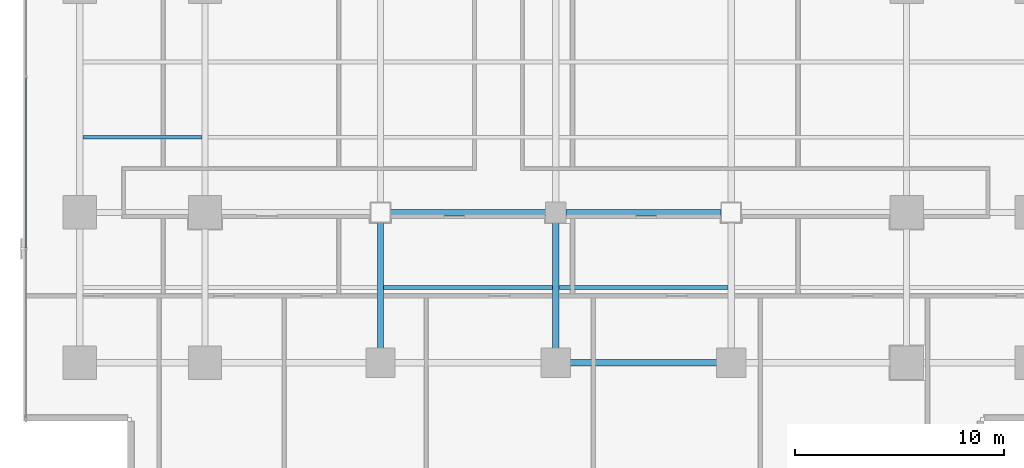
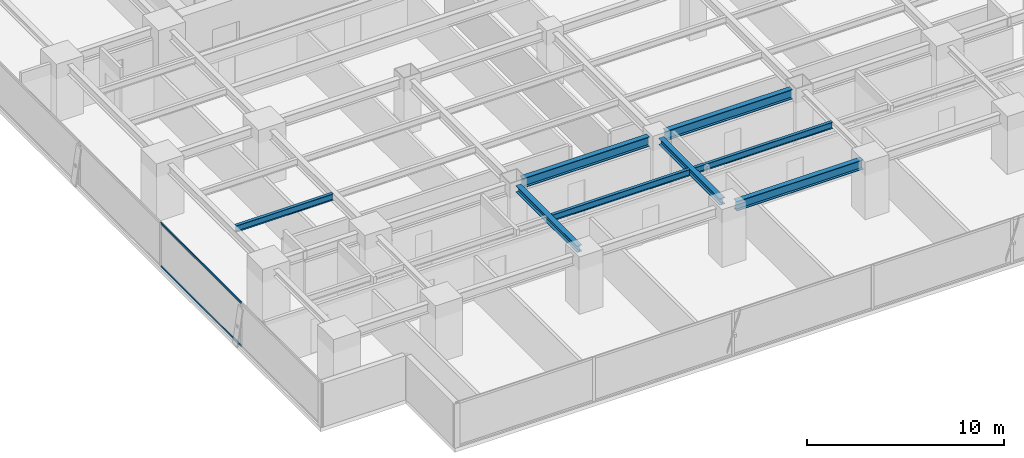
# One storey, part 7 of 37: 8 beams, 2 members, 1 element without a shape of its own.
"""IFC4 building model written with IfcOpenShell, lengths in metres."""

from ifc_helpers import new_model, si_unit, direction, frame, origin, origin_2d, place, context, subcontext, project, spatial, hollow_rectangle, i_section, extrude, source, transform, mapped, material, layer, layer_set, material_profile, profile_set, type_object, element, aggregate, save


model = new_model("IFC4")

# Units and contexts
model_context = context("Model", 3, precision=1e-05, world=origin(), true_north=direction((0.0, 1.0)))
body_context = subcontext(model_context, "Body", "Model", "MODEL_VIEW")
ifc_project = project(units=[si_unit("LENGTHUNIT", "METRE"), si_unit("AREAUNIT", "SQUARE_METRE"), si_unit("VOLUMEUNIT", "CUBIC_METRE"), si_unit("PLANEANGLEUNIT", "RADIAN"), si_unit("MASSUNIT", "GRAM", prefix="KILO")], contexts=[model_context])

# Site, building, storey
site_placement = place(None, origin())
site = spatial("IfcSite", under=ifc_project, at=site_placement, CompositionType="ELEMENT")
building_placement = place(site_placement, origin())
building = spatial("IfcBuilding", under=site, at=building_placement, Name="Sumidabori Civic Tower", CompositionType="ELEMENT")
storey_placement = place(building_placement, frame((0.0, 0.0, 117.199951171875)))
storey = spatial("IfcBuildingStorey", under=building, at=storey_placement, Name="L30", CompositionType="ELEMENT", Elevation=117.199951171875)

# Beams
ifc_material_1 = material(Name="Steel SN490", Category="steel")
ifc_material_profile_1 = material_profile(ifc_material_1, i_section(OverallWidth=0.300048828125, OverallDepth=0.60009765625, WebThickness=0.015380859375, FlangeThickness=0.030029296875, at=origin_2d()), Name="HE 600 B")
ifc_profile_set_1 = profile_set([ifc_material_profile_1], Name="Steel SN490")
beam_type_1 = type_object("IfcBeamType", Name="BM-GIRD-600", PredefinedType="BEAM", material=ifc_profile_set_1)
shared_shape_1 = source(origin(), body_context, "Body", "SweptSolid", [
    extrude(i_section(OverallWidth=0.300048828125, OverallDepth=0.60009765625, WebThickness=0.015380859375, FlangeThickness=0.030029296875, at=origin_2d()), origin(), (0.0, 0.0, 1.0), 7.43994140625),
])
for number, where, z_axis, x_axis, name in (
    (1, (0.47998046875, -18.0, 3.06005859375), (1.0, 0.0, 0.0), (0.0, 1.0, 0.0), "Primary Girder L30 GX-04"),
    (2, (-7.919921875, -10.800048828125, 3.06005859375), (1.0, 0.0, 0.0), (0.0, 1.0, 0.0), "Primary Girder L30 GX-09"),
    (3, (0.47998046875, -10.800048828125, 3.06005859375), (1.0, 0.0, 0.0), (0.0, 1.0, 0.0), "Primary Girder L30 GX-10"),
):
    element("IfcBeam", number, at=place(storey_placement, frame(where, z_axis=z_axis, x_axis=x_axis)), inside=storey, type_object=beam_type_1, Name=name, PredefinedType="BEAM", context=body_context, shape_type="MappedRepresentation", body=[
        mapped(shared_shape_1, transform((0.0, 0.0, 0.0), x_axis=(1.0, 0.0, 0.0), y_axis=(0.0, 1.0, 0.0), z_axis=(0.0, 0.0, 1.0), scale=1.0)),
    ])
ifc_material_profile_2 = material_profile(ifc_material_1, i_section(OverallWidth=0.300048828125, OverallDepth=0.39990234375, WebThickness=0.013427734375, FlangeThickness=0.02392578125, at=origin_2d()), Name="HE 400 B")
ifc_profile_set_2 = profile_set([ifc_material_profile_2], Name="Steel SN490")
beam_type_2 = type_object("IfcBeamType", Name="BM-GIRD-400", PredefinedType="BEAM", material=ifc_profile_set_2)
shared_shape_2 = source(origin(), body_context, "Body", "SweptSolid", [
    extrude(i_section(OverallWidth=0.300048828125, OverallDepth=0.39990234375, WebThickness=0.013427734375, FlangeThickness=0.02392578125, at=origin_2d()), origin(), (0.0, 0.0, 1.0), 6.239990234375),
])
for number, where, z_axis, x_axis, name in (
    (4, (-8.39990234375, -17.52001953125, 3.16015625), (0.0, 1.0, 0.0), (-1.0, 0.0, 0.0), "Primary Girder L30 GY-29"),
    (5, (0.0, -17.52001953125, 3.16015625), (0.0, 1.0, 0.0), (-1.0, 0.0, 0.0), "Primary Girder L30 GY-31"),
):
    element("IfcBeam", number, at=place(storey_placement, frame(where, z_axis=z_axis, x_axis=x_axis)), inside=storey, type_object=beam_type_2, Name=name, PredefinedType="BEAM", context=body_context, shape_type="MappedRepresentation", body=[
        mapped(shared_shape_2, transform((0.0, 0.0, 0.0), x_axis=(1.0, 0.0, 0.0), y_axis=(0.0, 1.0, 0.0), z_axis=(0.0, 0.0, 1.0), scale=1.0)),
    ])
ifc_material_profile_3 = material_profile(ifc_material_1, i_section(OverallWidth=0.179931640625, OverallDepth=0.39990234375, WebThickness=0.008544921875, FlangeThickness=0.013427734375, at=origin_2d()), Name="IPE 400")
ifc_profile_set_3 = profile_set([ifc_material_profile_3], Name="Steel SN490")
beam_type_3 = type_object("IfcBeamType", Name="BM-JST-400", PredefinedType="JOIST", material=ifc_profile_set_3)
shared_shape_3 = source(origin(), body_context, "Body", "SweptSolid", [
    extrude(i_section(OverallWidth=0.179931640625, OverallDepth=0.39990234375, WebThickness=0.008544921875, FlangeThickness=0.013427734375, at=origin_2d()), origin(), (0.0, 0.0, 1.0), 5.699951171875),
])
beam_placement = place(storey_placement, frame((-22.64990234375, -7.199951171875, 3.16015625), z_axis=(1.0, 0.0, 0.0), x_axis=(0.0, 1.0, 0.0)))
element("IfcBeam", 6, at=beam_placement, inside=storey, type_object=beam_type_3, Name="Outer Bay Floor Joist L30 JSTO-43", PredefinedType="JOIST", context=body_context, shape_type="MappedRepresentation", body=[
    mapped(shared_shape_3, transform((0.0, 0.0, 0.0), x_axis=(1.0, 0.0, 0.0), y_axis=(0.0, 1.0, 0.0), z_axis=(0.0, 0.0, 1.0), scale=1.0)),
])
shared_shape_4 = source(origin(), body_context, "Body", "SweptSolid", [
    extrude(i_section(OverallWidth=0.179931640625, OverallDepth=0.39990234375, WebThickness=0.008544921875, FlangeThickness=0.013427734375, at=origin_2d()), origin(), (0.0, 0.0, 1.0), 8.10009765625),
])
for number, where, z_axis, x_axis, name in (
    (7, (-8.25, -14.39990234375, 3.16015625), (1.0, 0.0, 0.0), (0.0, 1.0, 0.0), "South Bay Floor Joist L30 JSTS-56"),
    (8, (0.14990234375, -14.39990234375, 3.16015625), (1.0, 0.0, 0.0), (0.0, 1.0, 0.0), "South Bay Floor Joist L30 JSTS-57"),
):
    element("IfcBeam", number, at=place(storey_placement, frame(where, z_axis=z_axis, x_axis=x_axis)), inside=storey, type_object=beam_type_3, Name=name, PredefinedType="JOIST", context=body_context, shape_type="MappedRepresentation", body=[
        mapped(shared_shape_4, transform((0.0, 0.0, 0.0), x_axis=(1.0, 0.0, 0.0), y_axis=(0.0, 1.0, 0.0), z_axis=(0.0, 0.0, 1.0), scale=1.0)),
    ])

# Curtain wall, members
ifc_material_2 = material(Name="Anodised Bronze Aluminium AW-6063-T6", Category="aluminium")
ifc_layer = layer(ifc_material_2, 0.179931640625, Name="Anodised Bronze Aluminium AW-6063-T6")
ifc_layer_set = layer_set([ifc_layer], Name="Anodised Bronze Aluminium AW-6063-T6")
curtain_wall_type = type_object("IfcCurtainWallType", Name="CW-SYS-3", PredefinedType="NOTDEFINED", material=ifc_layer_set)
curtain_wall_placement = place(storey_placement, origin())
curtain_wall = element("IfcCurtainWall", 9, at=curtain_wall_placement, inside=storey, type_object=curtain_wall_type, Name="Curtain Wall CW:L30:R10", PredefinedType="NOTDEFINED")
ifc_material_profile_4 = material_profile(ifc_material_2, hollow_rectangle(XDim=0.06005859375, YDim=0.1298828125, WallThickness=0.0048828125, at=origin_2d()), Name="ALU TRANSOM 130x60")
ifc_profile_set_4 = profile_set([ifc_material_profile_4], Name="Anodised Bronze Aluminium AW-6063-T6")
member_type = type_object("IfcMemberType", Name="CW-TRN-130", PredefinedType="USERDEFINED", material=ifc_profile_set_4)
shared_shape_5 = source(origin(), body_context, "Body", "SweptSolid", [
    extrude(hollow_rectangle(XDim=0.06005859375, YDim=0.1298828125, WallThickness=0.0048828125, at=origin_2d()), origin(), (0.0, 0.0, 1.0), 8.1630859375),
])
member_1_placement = place(storey_placement, frame((-25.3798828125, -4.346435546875, 0.030029296875), z_axis=(0.0, -1.0, 0.0), x_axis=(1.0, 0.0, 0.0)))
member_1 = element("IfcMember", 10, at=member_1_placement, type_object=member_type, Name="CW-3 transom 4.1", ObjectType="TRANSOM", PredefinedType="USERDEFINED", context=body_context, shape_type="MappedRepresentation", body=[
    mapped(shared_shape_5, transform((0.0, 0.0, 0.0), x_axis=(1.0, 0.0, 0.0), y_axis=(0.0, 1.0, 0.0), z_axis=(0.0, 0.0, 1.0), scale=1.0)),
])
member_2_placement = place(storey_placement, frame((-25.3798828125, -4.346435546875, 2.7099609375), z_axis=(0.0, -1.0, 0.0), x_axis=(1.0, 0.0, 0.0)))
member_2 = element("IfcMember", 11, at=member_2_placement, type_object=member_type, Name="CW-3 transom 4.2", ObjectType="TRANSOM", PredefinedType="USERDEFINED", context=body_context, shape_type="MappedRepresentation", body=[
    mapped(shared_shape_5, transform((0.0, 0.0, 0.0), x_axis=(1.0, 0.0, 0.0), y_axis=(0.0, 1.0, 0.0), z_axis=(0.0, 0.0, 1.0), scale=1.0)),
])
aggregate(curtain_wall, [member_1, member_2])

save(model, "model.ifc")
